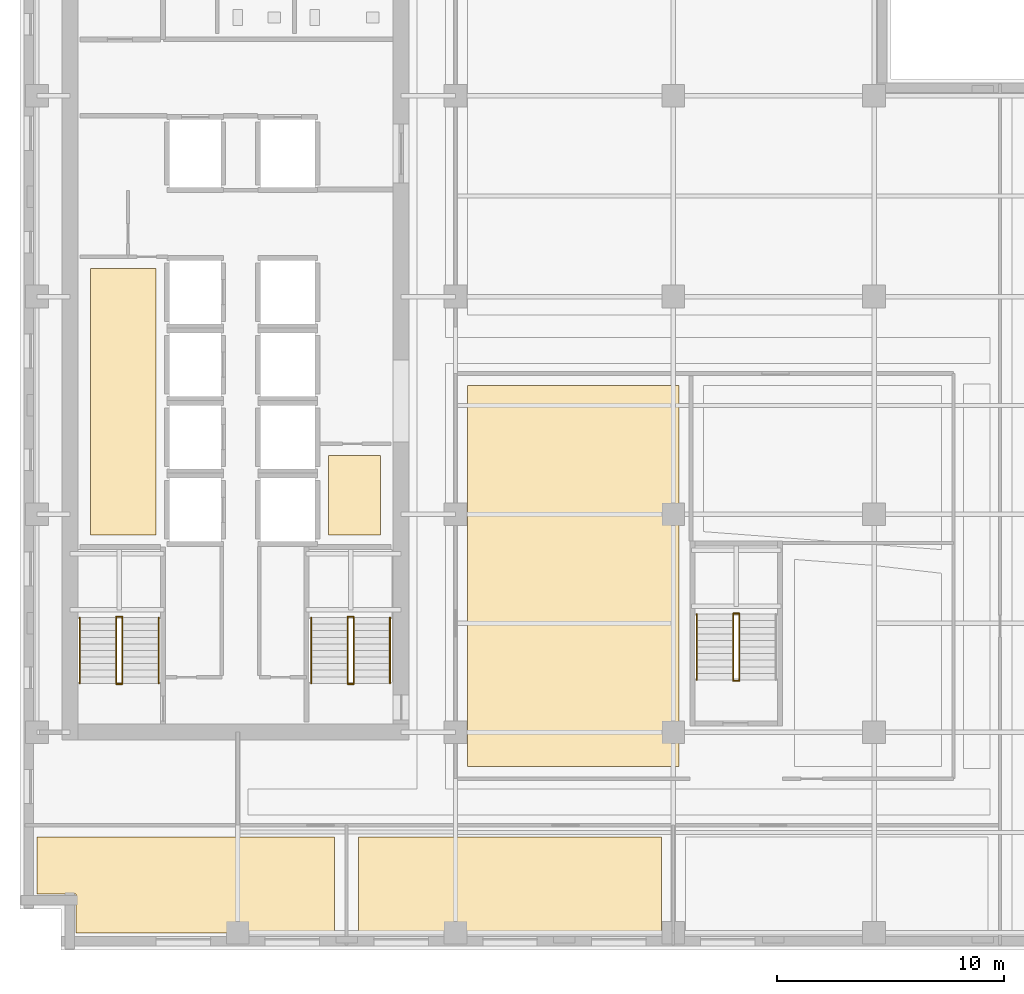
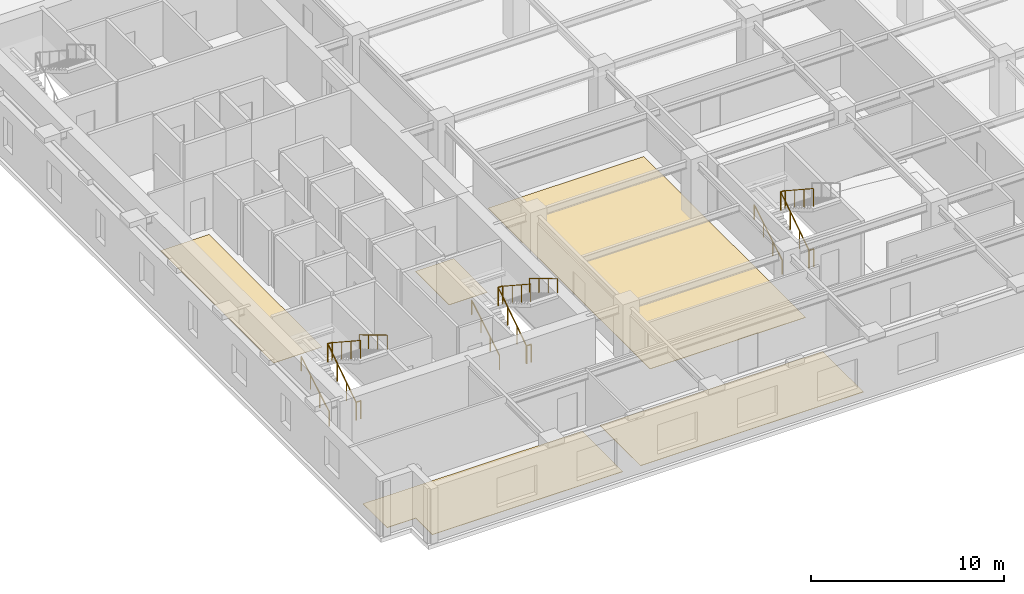
# One storey, part 8 of 12: 17 railings, 5 coverings.
"""IFC4 building model written with IfcOpenShell, lengths in metres."""

from ifc_helpers import new_model, si_unit, direction, frame, origin, origin_2d, place, context, subcontext, project, spatial, polyline, circle, outline, extrude, material, layer, layer_set, type_object, element, save


model = new_model("IFC4")

# Units and contexts
model_context = context("Model", 3, precision=1e-05, world=origin(), true_north=direction((0.0, 1.0)))
body_context = subcontext(model_context, "Body", "Model", "MODEL_VIEW")
ifc_project = project(units=[si_unit("LENGTHUNIT", "METRE"), si_unit("AREAUNIT", "SQUARE_METRE"), si_unit("VOLUMEUNIT", "CUBIC_METRE"), si_unit("PLANEANGLEUNIT", "RADIAN"), si_unit("MASSUNIT", "GRAM", prefix="KILO")], contexts=[model_context])

# Site, building, storey
site_placement = place(None, origin())
site = spatial("IfcSite", under=ifc_project, at=site_placement, CompositionType="ELEMENT")
building_placement = place(site_placement, origin())
building = spatial("IfcBuilding", under=site, at=building_placement, Name="Norrvale University Quadrangle", CompositionType="ELEMENT")
storey_placement = place(building_placement, frame((0.0, 0.0, 147.0)))
storey = spatial("IfcBuildingStorey", under=building, at=storey_placement, Name="L37", CompositionType="ELEMENT", Elevation=147.0)

# Coverings
ifc_material_1 = material(Name="Polished Terrazzo Flooring")
ifc_layer = layer(ifc_material_1, 0.02490234375, Name="Polished Terrazzo Flooring")
ifc_layer_set = layer_set([ifc_layer], Name="Polished Terrazzo Flooring")
covering_type = type_object("IfcCoveringType", Name="Covering Terrazzo Floor 30", PredefinedType="FLOORING", material=ifc_layer_set)
covering_1_placement = place(storey_placement, origin())
element("IfcCovering", 1, at=covering_1_placement, inside=storey, type_object=covering_type, Name="Terrazzo Flooring RM-L37-JAN", PredefinedType="FLOORING", context=body_context, shape_type="SweptSolid", body=[
    extrude(outline(polyline([(13.60009765625, 18.300048828125), (13.60009765625, 21.800048828125), (15.89990234375, 21.800048828125), (15.89990234375, 18.300048828125), (13.60009765625, 18.300048828125)])), origin(), (0.0, 0.0, 1.0), 0.02490234375),
])
covering_2_placement = place(storey_placement, origin())
element("IfcCovering", 2, at=covering_2_placement, inside=storey, type_object=covering_type, Name="Terrazzo Flooring RM-L37-WSTOR", PredefinedType="FLOORING", context=body_context, shape_type="SweptSolid", body=[
    extrude(outline(polyline([(3.10009765625, 18.300048828125), (3.10009765625, 30.030029296875), (6.0, 30.030029296875), (6.0, 18.300048828125), (3.10009765625, 18.300048828125)])), origin(), (0.0, 0.0, 1.0), 0.02490234375),
])
covering_3_placement = place(storey_placement, origin())
element("IfcCovering", 3, at=covering_3_placement, inside=storey, type_object=covering_type, Name="Terrazzo Flooring RM-L37-S01", PredefinedType="FLOORING", context=body_context, shape_type="SweptSolid", body=[
    extrude(outline(polyline([(0.75, 4.969970703125), (13.8701171875, 4.969970703125), (13.8701171875, 0.75), (2.469970703125, 0.75), (2.469970703125, 2.469970703125), (0.75, 2.469970703125), (0.75, 4.969970703125)])), origin(), (0.0, 0.0, 1.0), 0.02490234375),
])
covering_4_placement = place(storey_placement, origin())
element("IfcCovering", 4, at=covering_4_placement, inside=storey, type_object=covering_type, Name="Terrazzo Flooring RM-L37-S02", PredefinedType="FLOORING", context=body_context, shape_type="SweptSolid", body=[
    extrude(outline(polyline([(14.929931640625, 4.969970703125), (28.27001953125, 4.969970703125), (28.27001953125, 0.75), (14.929931640625, 0.75), (14.929931640625, 4.969970703125)])), origin(), (0.0, 0.0, 1.0), 0.02490234375),
])
covering_5_placement = place(storey_placement, origin())
element("IfcCovering", 5, at=covering_5_placement, inside=storey, type_object=covering_type, Name="Terrazzo Flooring RM-L37-IW1", PredefinedType="FLOORING", context=body_context, shape_type="SweptSolid", body=[
    extrude(outline(polyline([(19.72998046875, 8.080078125), (19.72998046875, 24.8701171875), (29.050048828125, 24.8701171875), (29.050048828125, 8.080078125), (19.72998046875, 8.080078125)])), origin(), (0.0, 0.0, 1.0), 0.02490234375),
])

# Railings
ifc_material_2 = material(Name="Steel 350W Painted Balustrade", Category="steel")
railing_type_1 = type_object("IfcRailingType", Name="Railing Stair Guard 1100", PredefinedType="GUARDRAIL", material=ifc_material_2)
for number, where, name in (
    (6, (4.239990234375, 11.719970703125, 0.0), "Stair Floor Well Guard ST-01 L37"),
    (7, (4.239990234375, 14.679931640625, 1.89990234375), "Stair Mid-Landing Slot Guard ST-01 L37"),
):
    element("IfcRailing", number, at=place(storey_placement, frame(where)), inside=storey, type_object=railing_type_1, Name=name, PredefinedType="GUARDRAIL", context=body_context, shape_type="SweptSolid", body=[
        extrude(circle(Radius=0.02392578125, at=origin_2d()), frame((0.0, 0.0, 1.1259765625), z_axis=(1.0, 0.0, 0.0), x_axis=(0.0, 1.0, 0.0)), (0.0, 0.0, 1.0), 0.27001953125),
        extrude(circle(Radius=0.02099609375, at=origin_2d()), origin(), (0.0, 0.0, 1.0), 1.101806640625),
        extrude(circle(Radius=0.02099609375, at=origin_2d()), frame((0.27001953125, 0.0, 0.0)), (0.0, 0.0, 1.0), 1.101806640625),
    ])
railing_1_placement = place(storey_placement, frame((4.239990234375, 11.75, 0.0)))
element("IfcRailing", 8, at=railing_1_placement, inside=storey, type_object=railing_type_1, Name="Stair Lower Flight Inner Guard ST-01 L37", PredefinedType="GUARDRAIL", context=body_context, shape_type="SweptSolid", body=[
    extrude(circle(Radius=0.02392578125, at=origin_2d()), frame((0.0, 0.0, 1.1259765625), z_axis=(0.0, 0.836465582154, 0.548019461216), x_axis=(-1.0, 0.0, 0.0)), (0.0, 0.0, 1.0), 3.466796875),
    extrude(circle(Radius=0.02099609375, at=origin_2d()), origin(), (0.0, 0.0, 1.0), 1.101806640625),
    extrude(circle(Radius=0.02099609375, at=origin_2d()), frame((0.0, 0.966552734375, 0.63330078125)), (0.0, 0.0, 1.0), 1.101806640625),
    extrude(circle(Radius=0.02099609375, at=origin_2d()), frame((0.0, 1.933349609375, 1.2666015625)), (0.0, 0.0, 1.0), 1.101806640625),
    extrude(circle(Radius=0.02099609375, at=origin_2d()), frame((0.0, 2.89990234375, 1.89990234375)), (0.0, 0.0, 1.0), 1.101806640625),
])
railing_2_placement = place(storey_placement, frame((4.510009765625, 14.64990234375, 1.89990234375)))
element("IfcRailing", 9, at=railing_2_placement, inside=storey, type_object=railing_type_1, Name="Stair Upper Flight Inner Guard ST-01 L37", PredefinedType="GUARDRAIL", context=body_context, shape_type="SweptSolid", body=[
    extrude(circle(Radius=0.02392578125, at=origin_2d()), frame((0.0, 0.0, 1.1259765625), z_axis=(0.0, -0.836433300813, 0.548068730445), x_axis=(1.0, 0.0, 0.0)), (0.0, 0.0, 1.0), 3.467041015625),
    extrude(circle(Radius=0.02099609375, at=origin_2d()), origin(), (0.0, 0.0, 1.0), 1.101806640625),
    extrude(circle(Radius=0.02099609375, at=origin_2d()), frame((0.0, -0.966552734375, 0.63330078125)), (0.0, 0.0, 1.0), 1.101806640625),
    extrude(circle(Radius=0.02099609375, at=origin_2d()), frame((0.0, -1.933349609375, 1.266845703125)), (0.0, 0.0, 1.0), 1.101806640625),
    extrude(circle(Radius=0.02099609375, at=origin_2d()), frame((0.0, -2.89990234375, 1.900146484375)), (0.0, 0.0, 1.0), 1.101806640625),
])
for number, where, name in (
    (10, (14.43994140625, 11.719970703125, 0.0), "Stair Floor Well Guard ST-03 L37"),
    (11, (14.43994140625, 14.679931640625, 1.89990234375), "Stair Mid-Landing Slot Guard ST-03 L37"),
):
    element("IfcRailing", number, at=place(storey_placement, frame(where)), inside=storey, type_object=railing_type_1, Name=name, PredefinedType="GUARDRAIL", context=body_context, shape_type="SweptSolid", body=[
        extrude(circle(Radius=0.02392578125, at=origin_2d()), frame((0.0, 0.0, 1.1259765625), z_axis=(1.0, 0.0, 0.0), x_axis=(0.0, 1.0, 0.0)), (0.0, 0.0, 1.0), 0.27001953125),
        extrude(circle(Radius=0.02099609375, at=origin_2d()), origin(), (0.0, 0.0, 1.0), 1.101806640625),
        extrude(circle(Radius=0.02099609375, at=origin_2d()), frame((0.27001953125, 0.0, 0.0)), (0.0, 0.0, 1.0), 1.101806640625),
    ])
railing_3_placement = place(storey_placement, frame((14.43994140625, 11.75, 0.0)))
element("IfcRailing", 12, at=railing_3_placement, inside=storey, type_object=railing_type_1, Name="Stair Lower Flight Inner Guard ST-03 L37", PredefinedType="GUARDRAIL", context=body_context, shape_type="SweptSolid", body=[
    extrude(circle(Radius=0.02392578125, at=origin_2d()), frame((0.0, 0.0, 1.1259765625), z_axis=(0.0, 0.836465582154, 0.548019461216), x_axis=(-1.0, 0.0, 0.0)), (0.0, 0.0, 1.0), 3.466796875),
    extrude(circle(Radius=0.02099609375, at=origin_2d()), origin(), (0.0, 0.0, 1.0), 1.101806640625),
    extrude(circle(Radius=0.02099609375, at=origin_2d()), frame((0.0, 0.966552734375, 0.63330078125)), (0.0, 0.0, 1.0), 1.101806640625),
    extrude(circle(Radius=0.02099609375, at=origin_2d()), frame((0.0, 1.933349609375, 1.2666015625)), (0.0, 0.0, 1.0), 1.101806640625),
    extrude(circle(Radius=0.02099609375, at=origin_2d()), frame((0.0, 2.89990234375, 1.89990234375)), (0.0, 0.0, 1.0), 1.101806640625),
])
railing_4_placement = place(storey_placement, frame((14.7099609375, 14.64990234375, 1.89990234375)))
element("IfcRailing", 13, at=railing_4_placement, inside=storey, type_object=railing_type_1, Name="Stair Upper Flight Inner Guard ST-03 L37", PredefinedType="GUARDRAIL", context=body_context, shape_type="SweptSolid", body=[
    extrude(circle(Radius=0.02392578125, at=origin_2d()), frame((0.0, 0.0, 1.1259765625), z_axis=(0.0, -0.836433300813, 0.548068730445), x_axis=(1.0, 0.0, 0.0)), (0.0, 0.0, 1.0), 3.467041015625),
    extrude(circle(Radius=0.02099609375, at=origin_2d()), origin(), (0.0, 0.0, 1.0), 1.101806640625),
    extrude(circle(Radius=0.02099609375, at=origin_2d()), frame((0.0, -0.966552734375, 0.63330078125)), (0.0, 0.0, 1.0), 1.101806640625),
    extrude(circle(Radius=0.02099609375, at=origin_2d()), frame((0.0, -1.933349609375, 1.266845703125)), (0.0, 0.0, 1.0), 1.101806640625),
    extrude(circle(Radius=0.02099609375, at=origin_2d()), frame((0.0, -2.89990234375, 1.900146484375)), (0.0, 0.0, 1.0), 1.101806640625),
])
for number, where, name in (
    (14, (31.43994140625, 11.8701171875, 0.0), "Stair Floor Well Guard ST-04 L37"),
    (15, (31.43994140625, 14.830078125, 1.89990234375), "Stair Mid-Landing Slot Guard ST-04 L37"),
):
    element("IfcRailing", number, at=place(storey_placement, frame(where)), inside=storey, type_object=railing_type_1, Name=name, PredefinedType="GUARDRAIL", context=body_context, shape_type="SweptSolid", body=[
        extrude(circle(Radius=0.02392578125, at=origin_2d()), frame((0.0, 0.0, 1.1259765625), z_axis=(1.0, 0.0, 0.0), x_axis=(0.0, 1.0, 0.0)), (0.0, 0.0, 1.0), 0.27001953125),
        extrude(circle(Radius=0.02099609375, at=origin_2d()), origin(), (0.0, 0.0, 1.0), 1.101806640625),
        extrude(circle(Radius=0.02099609375, at=origin_2d()), frame((0.27001953125, 0.0, 0.0)), (0.0, 0.0, 1.0), 1.101806640625),
    ])
railing_5_placement = place(storey_placement, frame((31.43994140625, 11.89990234375, 0.0)))
element("IfcRailing", 16, at=railing_5_placement, inside=storey, type_object=railing_type_1, Name="Stair Lower Flight Inner Guard ST-04 L37", PredefinedType="GUARDRAIL", context=body_context, shape_type="SweptSolid", body=[
    extrude(circle(Radius=0.02392578125, at=origin_2d()), frame((0.0, 0.0, 1.1259765625), z_axis=(0.0, 0.836486729621, 0.547987181573), x_axis=(-1.0, 0.0, 0.0)), (0.0, 0.0, 1.0), 3.467041015625),
    extrude(circle(Radius=0.02099609375, at=origin_2d()), origin(), (0.0, 0.0, 1.0), 1.101806640625),
    extrude(circle(Radius=0.02099609375, at=origin_2d()), frame((0.0, 0.966796875, 0.63330078125)), (0.0, 0.0, 1.0), 1.101806640625),
    extrude(circle(Radius=0.02099609375, at=origin_2d()), frame((0.0, 1.933349609375, 1.2666015625)), (0.0, 0.0, 1.0), 1.101806640625),
    extrude(circle(Radius=0.02099609375, at=origin_2d()), frame((0.0, 2.900146484375, 1.89990234375)), (0.0, 0.0, 1.0), 1.101806640625),
])
railing_6_placement = place(storey_placement, frame((31.7099609375, 14.800048828125, 1.89990234375)))
element("IfcRailing", 17, at=railing_6_placement, inside=storey, type_object=railing_type_1, Name="Stair Upper Flight Inner Guard ST-04 L37", PredefinedType="GUARDRAIL", context=body_context, shape_type="SweptSolid", body=[
    extrude(circle(Radius=0.02392578125, at=origin_2d()), frame((0.0, 0.0, 1.1259765625), z_axis=(0.0, -0.836454451266, 0.548036450392), x_axis=(1.0, 0.0, 0.0)), (0.0, 0.0, 1.0), 3.46728515625),
    extrude(circle(Radius=0.02099609375, at=origin_2d()), origin(), (0.0, 0.0, 1.0), 1.101806640625),
    extrude(circle(Radius=0.02099609375, at=origin_2d()), frame((0.0, -0.966796875, 0.63330078125)), (0.0, 0.0, 1.0), 1.101806640625),
    extrude(circle(Radius=0.02099609375, at=origin_2d()), frame((0.0, -1.933349609375, 1.266845703125)), (0.0, 0.0, 1.0), 1.101806640625),
    extrude(circle(Radius=0.02099609375, at=origin_2d()), frame((0.0, -2.900146484375, 1.900146484375)), (0.0, 0.0, 1.0), 1.101806640625),
])
ifc_material_3 = material(Name="Stainless Steel 316L Handrail", Category="steel")
railing_type_2 = type_object("IfcRailingType", Name="Railing Stair Handrail 920", PredefinedType="HANDRAIL", material=ifc_material_3)
railing_7_placement = place(storey_placement, frame((2.639892578125, 11.75, 0.172607421875)))
element("IfcRailing", 18, at=railing_7_placement, inside=storey, type_object=railing_type_2, Name="Stair Lower Flight Handrail ST-01 L37", PredefinedType="HANDRAIL", context=body_context, shape_type="SweptSolid", body=[
    extrude(circle(Radius=0.02392578125, at=origin_2d()), frame((0.0, 0.0, 0.89599609375), z_axis=(0.0, 0.859141464434, 0.511738159696), x_axis=(-1.0, 0.0, 0.0)), (0.0, 0.0, 1.0), 3.375244140625),
    extrude(circle(Radius=0.02099609375, at=origin_2d()), origin(), (0.0, 0.0, 1.0), 0.871826171875),
    extrude(circle(Radius=0.02099609375, at=origin_2d()), frame((0.0, 0.966552734375, 0.57568359375)), (0.0, 0.0, 1.0), 0.871826171875),
    extrude(circle(Radius=0.02099609375, at=origin_2d()), frame((0.0, 1.933349609375, 1.151611328125)), (0.0, 0.0, 1.0), 0.871826171875),
    extrude(circle(Radius=0.02099609375, at=origin_2d()), frame((0.0, 2.89990234375, 1.727294921875)), (0.0, 0.0, 1.0), 0.871826171875),
])
railing_8_placement = place(storey_placement, frame((6.110107421875, 14.64990234375, 2.07275390625)))
element("IfcRailing", 19, at=railing_8_placement, inside=storey, type_object=railing_type_2, Name="Stair Upper Flight Handrail ST-01 L37", PredefinedType="HANDRAIL", context=body_context, shape_type="SweptSolid", body=[
    extrude(circle(Radius=0.02392578125, at=origin_2d()), frame((0.0, 0.0, 0.89599609375), z_axis=(0.0, -0.859141464434, 0.511738159696), x_axis=(1.0, 0.0, 0.0)), (0.0, 0.0, 1.0), 3.375244140625),
    extrude(circle(Radius=0.02099609375, at=origin_2d()), origin(), (0.0, 0.0, 1.0), 0.871826171875),
    extrude(circle(Radius=0.02099609375, at=origin_2d()), frame((0.0, -0.966552734375, 0.57568359375)), (0.0, 0.0, 1.0), 0.871826171875),
    extrude(circle(Radius=0.02099609375, at=origin_2d()), frame((0.0, -1.933349609375, 1.151611328125)), (0.0, 0.0, 1.0), 0.871826171875),
    extrude(circle(Radius=0.02099609375, at=origin_2d()), frame((0.0, -2.89990234375, 1.727294921875)), (0.0, 0.0, 1.0), 0.871826171875),
])
railing_9_placement = place(storey_placement, frame((12.840087890625, 11.75, 0.172607421875)))
element("IfcRailing", 20, at=railing_9_placement, inside=storey, type_object=railing_type_2, Name="Stair Lower Flight Handrail ST-03 L37", PredefinedType="HANDRAIL", context=body_context, shape_type="SweptSolid", body=[
    extrude(circle(Radius=0.02392578125, at=origin_2d()), frame((0.0, 0.0, 0.89599609375), z_axis=(0.0, 0.859141464434, 0.511738159696), x_axis=(-1.0, 0.0, 0.0)), (0.0, 0.0, 1.0), 3.375244140625),
    extrude(circle(Radius=0.02099609375, at=origin_2d()), origin(), (0.0, 0.0, 1.0), 0.871826171875),
    extrude(circle(Radius=0.02099609375, at=origin_2d()), frame((0.0, 0.966552734375, 0.57568359375)), (0.0, 0.0, 1.0), 0.871826171875),
    extrude(circle(Radius=0.02099609375, at=origin_2d()), frame((0.0, 1.933349609375, 1.151611328125)), (0.0, 0.0, 1.0), 0.871826171875),
    extrude(circle(Radius=0.02099609375, at=origin_2d()), frame((0.0, 2.89990234375, 1.727294921875)), (0.0, 0.0, 1.0), 0.871826171875),
])
railing_10_placement = place(storey_placement, frame((16.31005859375, 14.64990234375, 2.07275390625)))
element("IfcRailing", 21, at=railing_10_placement, inside=storey, type_object=railing_type_2, Name="Stair Upper Flight Handrail ST-03 L37", PredefinedType="HANDRAIL", context=body_context, shape_type="SweptSolid", body=[
    extrude(circle(Radius=0.02392578125, at=origin_2d()), frame((0.0, 0.0, 0.89599609375), z_axis=(0.0, -0.859141464434, 0.511738159696), x_axis=(1.0, 0.0, 0.0)), (0.0, 0.0, 1.0), 3.375244140625),
    extrude(circle(Radius=0.02099609375, at=origin_2d()), origin(), (0.0, 0.0, 1.0), 0.871826171875),
    extrude(circle(Radius=0.02099609375, at=origin_2d()), frame((0.0, -0.966552734375, 0.57568359375)), (0.0, 0.0, 1.0), 0.871826171875),
    extrude(circle(Radius=0.02099609375, at=origin_2d()), frame((0.0, -1.933349609375, 1.151611328125)), (0.0, 0.0, 1.0), 0.871826171875),
    extrude(circle(Radius=0.02099609375, at=origin_2d()), frame((0.0, -2.89990234375, 1.727294921875)), (0.0, 0.0, 1.0), 0.871826171875),
])
railing_11_placement = place(storey_placement, frame((29.840087890625, 11.89990234375, 0.172607421875)))
element("IfcRailing", 22, at=railing_11_placement, inside=storey, type_object=railing_type_2, Name="Stair Lower Flight Handrail ST-04 L37", PredefinedType="HANDRAIL", context=body_context, shape_type="SweptSolid", body=[
    extrude(circle(Radius=0.02392578125, at=origin_2d()), frame((0.0, 0.0, 0.89599609375), z_axis=(0.0, 0.859160404282, 0.51170636083), x_axis=(-1.0, 0.0, 0.0)), (0.0, 0.0, 1.0), 3.37548828125),
    extrude(circle(Radius=0.02099609375, at=origin_2d()), origin(), (0.0, 0.0, 1.0), 0.871826171875),
    extrude(circle(Radius=0.02099609375, at=origin_2d()), frame((0.0, 0.966796875, 0.57568359375)), (0.0, 0.0, 1.0), 0.871826171875),
    extrude(circle(Radius=0.02099609375, at=origin_2d()), frame((0.0, 1.933349609375, 1.151611328125)), (0.0, 0.0, 1.0), 0.871826171875),
    extrude(circle(Radius=0.02099609375, at=origin_2d()), frame((0.0, 2.900146484375, 1.727294921875)), (0.0, 0.0, 1.0), 0.871826171875),
])

save(model, "model.ifc")
